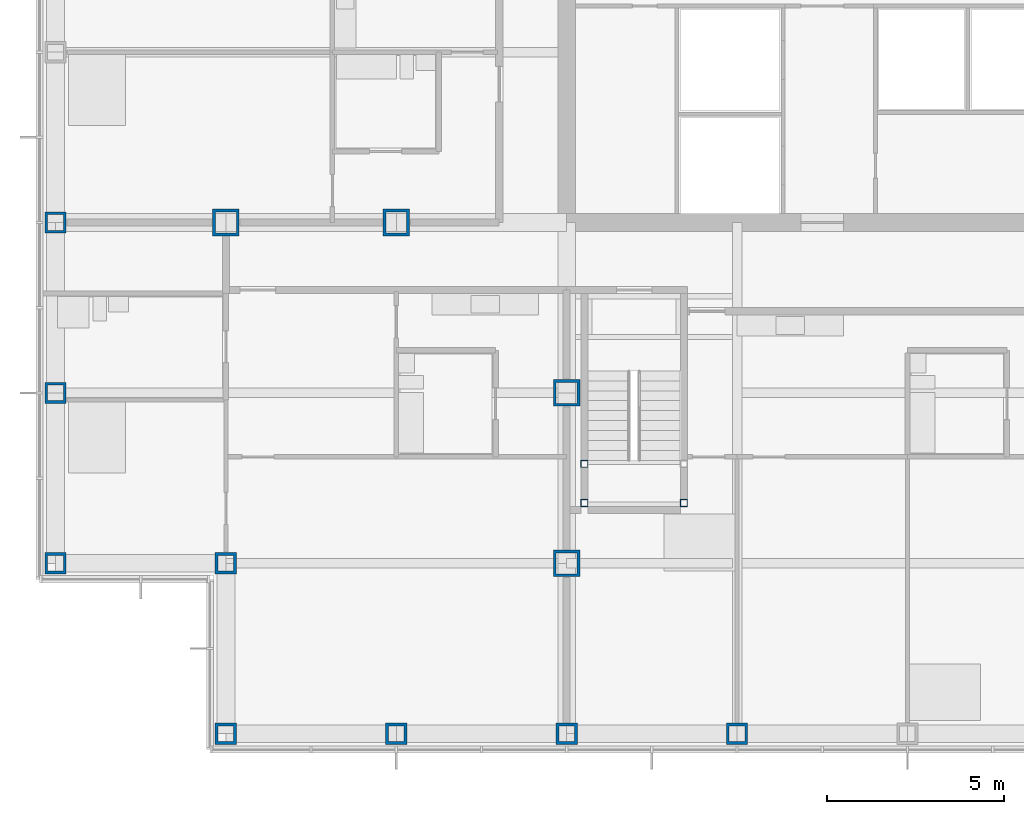
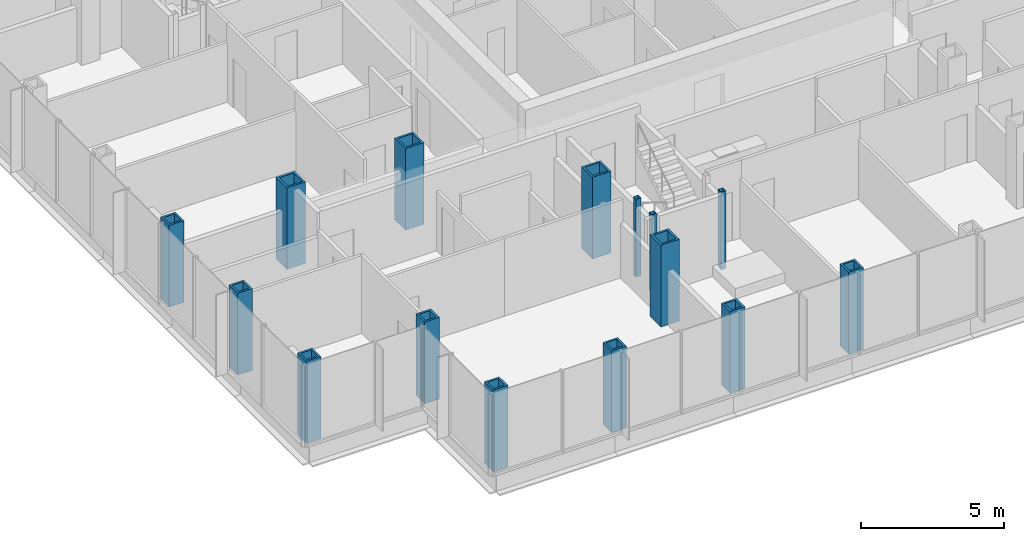
# One storey, part 1 of 21: 15 columns.
"""IFC4 building model written with IfcOpenShell, lengths in metres."""

from ifc_helpers import new_model, si_unit, direction, frame, origin, origin_2d, place, context, subcontext, project, spatial, hollow_rectangle, extrude, material, material_profile, profile_set, type_object, element, save


model = new_model("IFC4")

# Units and contexts
model_context = context("Model", 3, precision=1e-05, world=origin(), true_north=direction((0.0, 1.0)))
body_context = subcontext(model_context, "Body", "Model", "MODEL_VIEW")
ifc_project = project(units=[si_unit("LENGTHUNIT", "METRE"), si_unit("AREAUNIT", "SQUARE_METRE"), si_unit("VOLUMEUNIT", "CUBIC_METRE"), si_unit("PLANEANGLEUNIT", "RADIAN"), si_unit("MASSUNIT", "GRAM", prefix="KILO")], contexts=[model_context])

# Site, building, storey
site_placement = place(None, origin())
site = spatial("IfcSite", under=ifc_project, at=site_placement, CompositionType="ELEMENT")
building_placement = place(site_placement, origin())
building = spatial("IfcBuilding", under=site, at=building_placement, Name="Kvirike Care Tower", CompositionType="ELEMENT")
storey_placement = place(building_placement, frame((0.0, 0.0, 65.5)))
storey = spatial("IfcBuildingStorey", under=building, at=storey_placement, Name="L17", CompositionType="ELEMENT", Elevation=65.5)

# Columns
ifc_material_1 = material(Name="Steel S460", Category="steel")
ifc_material_profile_1 = material_profile(ifc_material_1, hollow_rectangle(XDim=0.60009765625, YDim=0.60009765625, WallThickness=0.080078125, at=origin_2d()), Name="BX 600x600x80")
ifc_profile_set_1 = profile_set([ifc_material_profile_1], Name="Steel S460")
column_type_1 = type_object("IfcColumnType", Name="COLUMN BX 600x600x80", PredefinedType="COLUMN", material=ifc_profile_set_1)
for number, where, z_axis, x_axis, name in (
    (1, (0.0, 19.199951171875, 0.0), (0.0, 0.0, 1.0), (0.0, 1.0, 0.0), "Column E3 L17"),
    (2, (0.0, 24.0, 0.0), (0.0, 0.0, 1.0), (1.0, 0.0, 0.0), "Column F3 L17"),
    (3, (0.0, 28.800048828125, 0.0), (0.0, 0.0, 1.0), (0.0, 1.0, 0.0), "Column G3 L17"),
    (4, (4.800048828125, 14.39990234375, 0.0), (0.0, 0.0, 1.0), (0.0, 1.0, 0.0), "Column D4 L17"),
    (5, (4.800048828125, 19.199951171875, 0.0), (0.0, 0.0, 1.0), (0.0, 1.0, 0.0), "Column E4 L17"),
    (6, (9.60009765625, 14.39990234375, 0.0), (0.0, 0.0, 1.0), (0.0, 1.0, 0.0), "Column D5 L17"),
    (7, (14.39990234375, 14.39990234375, 0.0), (0.0, 0.0, 1.0), (0.0, 1.0, 0.0), "Column D6 L17"),
    (8, (19.199951171875, 14.39990234375, 0.0), (0.0, 0.0, 1.0), (0.0, 1.0, 0.0), "Column D7 L17"),
):
    element("IfcColumn", number, at=place(storey_placement, frame(where, z_axis=z_axis, x_axis=x_axis)), inside=storey, type_object=column_type_1, Name=name, PredefinedType="COLUMN", context=body_context, shape_type="SweptSolid", body=[
        extrude(hollow_rectangle(XDim=0.60009765625, YDim=0.60009765625, WallThickness=0.080078125, at=origin_2d()), origin(), (0.0, 0.0, 1.0), 3.5),
    ])
ifc_material_2 = material(Name="Steel S460", Category="steel")
ifc_material_profile_2 = material_profile(ifc_material_2, hollow_rectangle(XDim=0.75, YDim=0.75, WallThickness=0.080078125, at=origin_2d()), Name="BX 750x750x80")
ifc_profile_set_2 = profile_set([ifc_material_profile_2], Name="Steel S460")
column_type_2 = type_object("IfcColumnType", Name="COLUMN BX 750x750x80", PredefinedType="COLUMN", material=ifc_profile_set_2)
for number, where, z_axis, x_axis, name in (
    (9, (4.800048828125, 28.800048828125, 0.0), (0.0, 0.0, 1.0), (0.0, 1.0, 0.0), "Column G4 L17"),
    (10, (9.60009765625, 28.800048828125, 0.0), (0.0, 0.0, 1.0), (0.0, 1.0, 0.0), "Column G5 L17"),
    (11, (14.39990234375, 19.199951171875, 0.0), (0.0, 0.0, 1.0), (1.0, 0.0, 0.0), "Column E6 L17"),
    (12, (14.39990234375, 24.0, 0.0), (0.0, 0.0, 1.0), (1.0, 0.0, 0.0), "Column F6 L17"),
):
    element("IfcColumn", number, at=place(storey_placement, frame(where, z_axis=z_axis, x_axis=x_axis)), inside=storey, type_object=column_type_2, Name=name, PredefinedType="COLUMN", context=body_context, shape_type="SweptSolid", body=[
        extrude(hollow_rectangle(XDim=0.75, YDim=0.75, WallThickness=0.080078125, at=origin_2d()), origin(), (0.0, 0.0, 1.0), 3.5),
    ])
ifc_material_3 = material(Name="Steel S460", Category="steel")
ifc_material_profile_3 = material_profile(ifc_material_3, hollow_rectangle(XDim=0.199951171875, YDim=0.199951171875, WallThickness=0.008056640625, at=origin_2d()), Name="SHS 200x200x8")
ifc_profile_set_3 = profile_set([ifc_material_profile_3], Name="Steel S460")
column_type_3 = type_object("IfcColumnType", Name="STAIR POST SHS 200x200x8", PredefinedType="COLUMN", material=ifc_profile_set_3)
for number, where, z_axis, x_axis, name in (
    (13, (14.89990234375, 20.89990234375, 0.0), (0.0, 0.0, 1.0), (1.0, 0.0, 0.0), "Stair 5 post 1 L17"),
    (14, (17.699951171875, 20.89990234375, 0.0), (0.0, 0.0, 1.0), (1.0, 0.0, 0.0), "Stair 5 post 2 L17"),
    (15, (14.89990234375, 22.0, 0.0), (0.0, 0.0, 1.0), (1.0, 0.0, 0.0), "Stair 5 post 3 L17"),
):
    element("IfcColumn", number, at=place(storey_placement, frame(where, z_axis=z_axis, x_axis=x_axis)), inside=storey, type_object=column_type_3, Name=name, PredefinedType="COLUMN", context=body_context, shape_type="SweptSolid", body=[
        extrude(hollow_rectangle(XDim=0.199951171875, YDim=0.199951171875, WallThickness=0.008056640625, at=origin_2d()), origin(), (0.0, 0.0, 1.0), 3.330078125),
    ])

save(model, "model.ifc")
